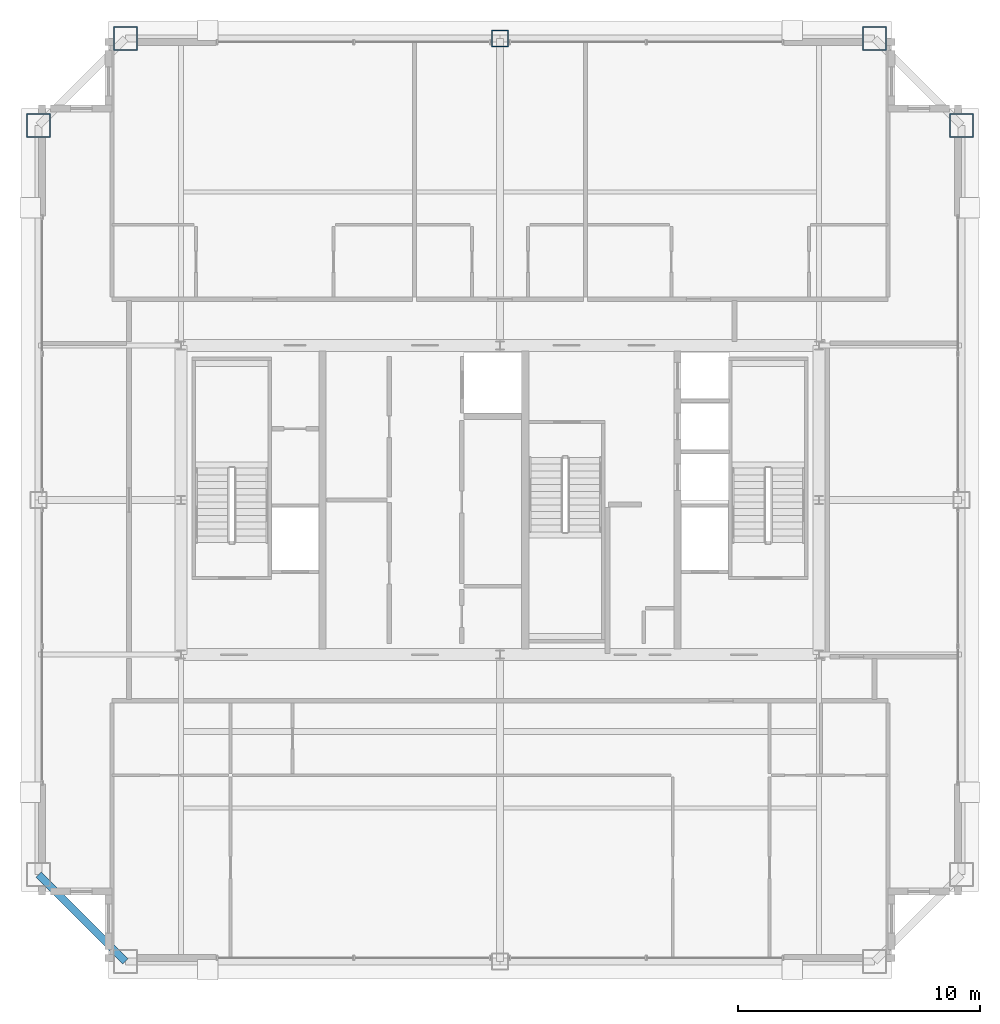
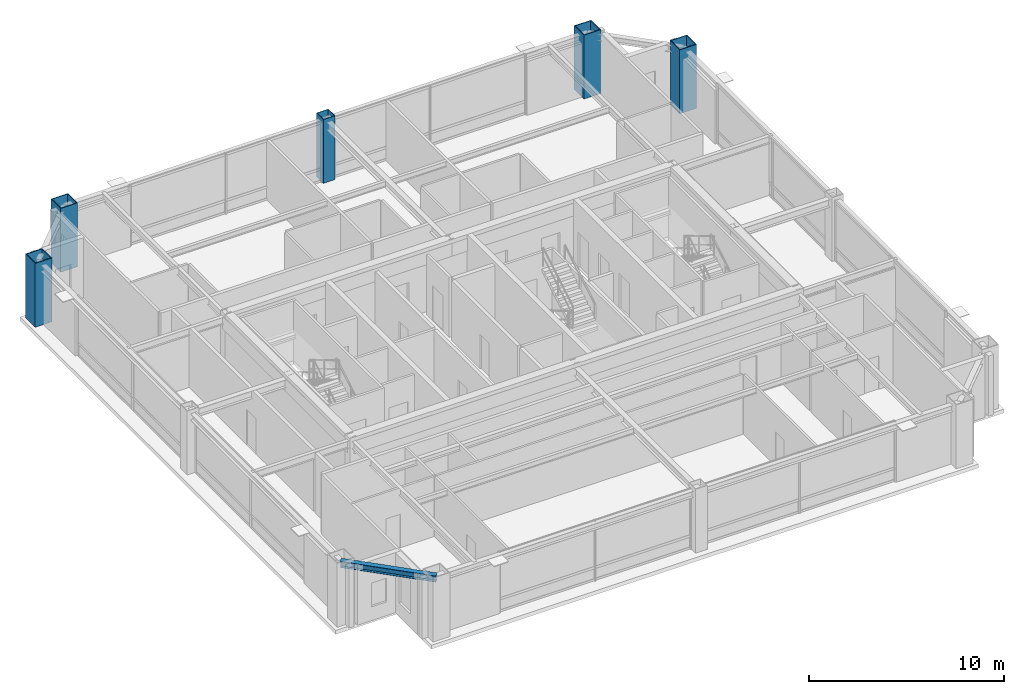
# One storey, part 3 of 34: 5 columns, 1 beam.
"""IFC4 building model written with IfcOpenShell, lengths in metres."""

from ifc_helpers import new_model, si_unit, direction, frame, origin, origin_2d, place, context, subcontext, project, spatial, hollow_rectangle, i_section, extrude, source, transform, mapped, material, material_profile, profile_set, type_object, element, save


model = new_model("IFC4")

# Units and contexts
model_context = context("Model", 3, precision=1e-05, world=origin(), true_north=direction((0.0, 1.0)))
body_context = subcontext(model_context, "Body", "Model", "MODEL_VIEW")
ifc_project = project(units=[si_unit("LENGTHUNIT", "METRE"), si_unit("AREAUNIT", "SQUARE_METRE"), si_unit("VOLUMEUNIT", "CUBIC_METRE"), si_unit("PLANEANGLEUNIT", "RADIAN"), si_unit("MASSUNIT", "GRAM", prefix="KILO"), si_unit("THERMODYNAMICTEMPERATUREUNIT", "KELVIN"), si_unit("POWERUNIT", "WATT")], contexts=[model_context])

# Site, building, storey
site_placement = place(None, origin())
site = spatial("IfcSite", under=ifc_project, at=site_placement, CompositionType="ELEMENT")
building_placement = place(site_placement, origin())
building = spatial("IfcBuilding", under=site, at=building_placement, Name="Yuzanri Waterfront Tower", CompositionType="ELEMENT")
storey_placement = place(building_placement, frame((0.0, 0.0, 339.199951171875)))
storey = spatial("IfcBuildingStorey", under=building, at=storey_placement, Name="L91", CompositionType="ELEMENT", Elevation=339.199951171875)

# Columns
ifc_material_1 = material(Name="Steel Q390GJC", Category="steel")
ifc_material_profile_1 = material_profile(ifc_material_1, hollow_rectangle(XDim=1.0, YDim=1.0, WallThickness=0.048095703125, at=origin_2d()), Name="RHS 1000x1000x48")
ifc_profile_set_1 = profile_set([ifc_material_profile_1], Name="Steel Q390GJC")
column_type_1 = type_object("IfcColumnType", Name="Mega Column Q390GJC RHS 1000x1000x48", PredefinedType="COLUMN", material=ifc_profile_set_1)
shared_shape_1 = source(origin(), body_context, "Body", "SweptSolid", [
    extrude(hollow_rectangle(XDim=1.0, YDim=1.0, WallThickness=0.048095703125, at=origin_2d()), origin(), (0.0, 0.0, 1.0), 4.0),
])
for number, where, z_axis, x_axis, name in (
    (1, (21.5, 44.89990234375, 0.0), (0.0, 0.0, 1.0), (1.0, 0.0, 0.0), "L91 Perimeter Mega Column N1"),
    (2, (52.5, 44.89990234375, 0.0), (0.0, 0.0, 1.0), (1.0, 0.0, 0.0), "L91 Perimeter Mega Column N3"),
    (3, (17.89990234375, 41.300048828125, 0.0), (0.0, 0.0, 1.0), (1.0, 0.0, 0.0), "L91 Perimeter Mega Column W3"),
    (4, (56.10009765625, 41.300048828125, 0.0), (0.0, 0.0, 1.0), (1.0, 0.0, 0.0), "L91 Perimeter Mega Column E3"),
):
    element("IfcColumn", number, at=place(storey_placement, frame(where, z_axis=z_axis, x_axis=x_axis)), inside=storey, type_object=column_type_1, Name=name, PredefinedType="COLUMN", context=body_context, shape_type="MappedRepresentation", body=[
        mapped(shared_shape_1, transform((0.0, 0.0, 0.0), scale=1.0)),
    ])
ifc_material_2 = material(Name="Steel Q355B", Category="steel")
ifc_material_profile_2 = material_profile(ifc_material_2, hollow_rectangle(XDim=0.699951171875, YDim=0.699951171875, WallThickness=0.031982421875, at=origin_2d()), Name="RHS 700x700x32")
ifc_profile_set_2 = profile_set([ifc_material_profile_2], Name="Steel Q355B")
column_type_2 = type_object("IfcColumnType", Name="Frame Column Q355B RHS 700x700x32", PredefinedType="COLUMN", material=ifc_profile_set_2)
shared_shape_2 = source(origin(), body_context, "Body", "SweptSolid", [
    extrude(hollow_rectangle(XDim=0.699951171875, YDim=0.699951171875, WallThickness=0.031982421875, at=origin_2d()), origin(), (0.0, 0.0, 1.0), 4.0),
])
column_placement = place(storey_placement, frame((37.0, 44.89990234375, 0.0), z_axis=(0.0, 0.0, 1.0), x_axis=(1.0, 0.0, 0.0)))
element("IfcColumn", 5, at=column_placement, inside=storey, type_object=column_type_2, Name="L91 Perimeter Frame Column N2", PredefinedType="COLUMN", context=body_context, shape_type="MappedRepresentation", body=[
    mapped(shared_shape_2, transform((0.0, 0.0, 0.0), scale=1.0)),
])

# Beam
ifc_material_3 = material(Name="Steel Q355B", Category="steel")
ifc_material_profile_3 = material_profile(ifc_material_3, i_section(OverallWidth=0.300048828125, OverallDepth=0.389892578125, WebThickness=0.010009765625, FlangeThickness=0.01611328125, at=origin_2d()), Name="HM 390x300x10x16")
ifc_profile_set_3 = profile_set([ifc_material_profile_3], Name="Steel Q355B")
beam_type = type_object("IfcBeamType", Name="Perimeter Spandrel Q355B HM 390x300", PredefinedType="SPANDREL", material=ifc_profile_set_3)
shared_shape_3 = source(origin(), body_context, "Body", "SweptSolid", [
    extrude(i_section(OverallWidth=0.300048828125, OverallDepth=0.389892578125, WebThickness=0.010009765625, FlangeThickness=0.01611328125, at=origin_2d()), origin(), (0.0, 0.0, 1.0), 5.09130859375),
])
beam_placement = place(storey_placement, frame((17.89990234375, 10.300048828125, 3.56494140625), z_axis=(0.707106781187, -0.707106781187, 0.0), x_axis=(0.707106781187, 0.707106781187, 0.0)))
element("IfcBeam", 6, at=beam_placement, inside=storey, type_object=beam_type, Name="L91 Perimeter Spandrel W1-S1", PredefinedType="SPANDREL", context=body_context, shape_type="MappedRepresentation", body=[
    mapped(shared_shape_3, transform((0.0, 0.0, 0.0), scale=1.0)),
])

save(model, "model.ifc")
